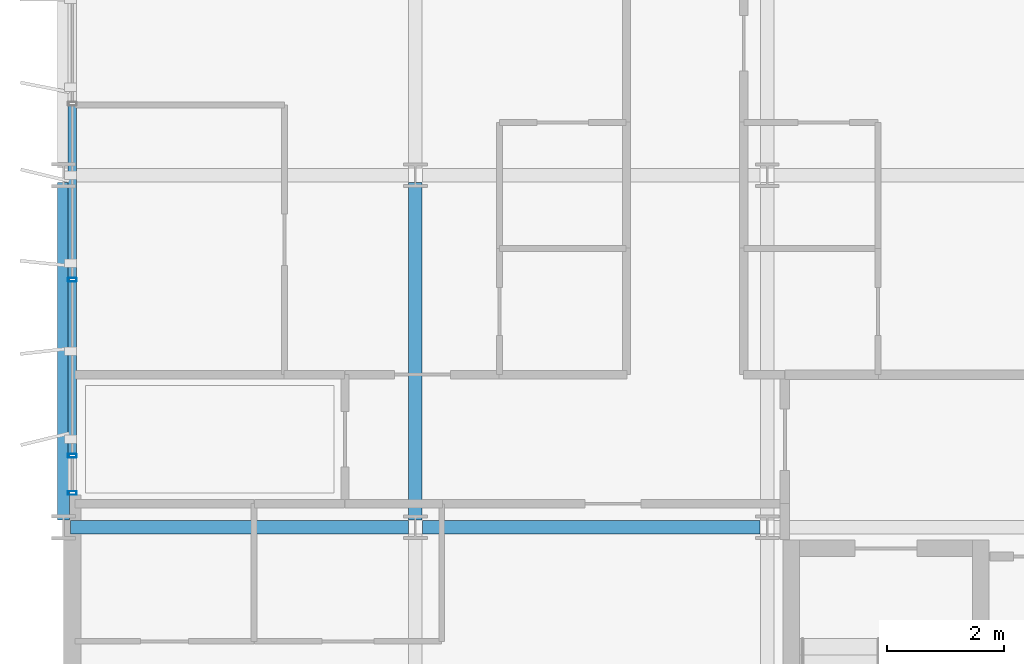
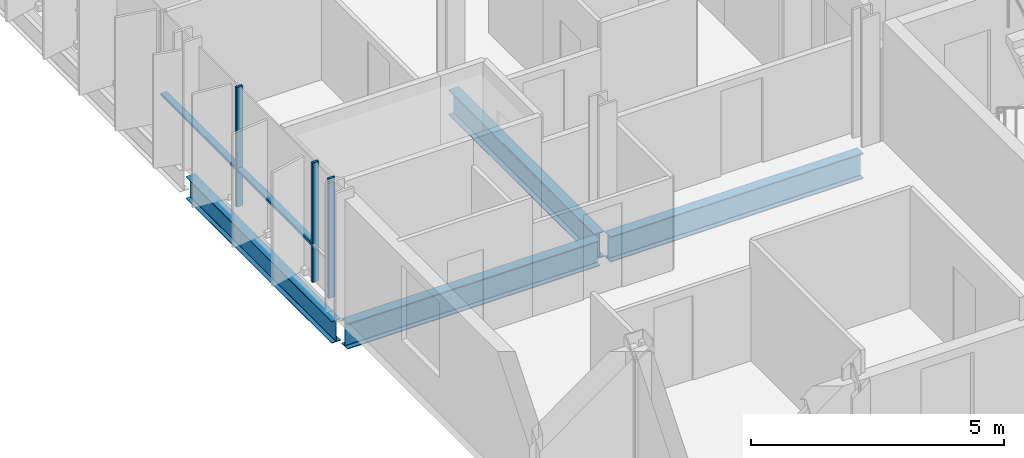
# One storey, part 2 of 39: 5 members, 4 beams, 1 element without a shape of its own.
"""IFC4 building model written with IfcOpenShell, lengths in metres."""

from ifc_helpers import new_model, si_unit, direction, frame, origin, origin_2d, place, context, subcontext, project, spatial, hollow_rectangle, i_section, extrude, material, layer, layer_set, material_profile, profile_set, type_object, element, aggregate, save


model = new_model("IFC4")

# Units and contexts
model_context = context("Model", 3, precision=1e-05, world=origin(), true_north=direction((0.0, 1.0)))
body_context = subcontext(model_context, "Body", "Model", "MODEL_VIEW")
ifc_project = project(units=[si_unit("LENGTHUNIT", "METRE"), si_unit("AREAUNIT", "SQUARE_METRE"), si_unit("VOLUMEUNIT", "CUBIC_METRE"), si_unit("PLANEANGLEUNIT", "RADIAN"), si_unit("MASSUNIT", "GRAM", prefix="KILO")], contexts=[model_context])

# Site, building, storey
site_placement = place(None, origin())
site = spatial("IfcSite", under=ifc_project, at=site_placement, CompositionType="ELEMENT")
building_placement = place(site_placement, origin())
building = spatial("IfcBuilding", under=site, at=building_placement, Name="Brevholm Reach", CompositionType="ELEMENT")
storey_placement = place(building_placement, frame((0.0, 0.0, 109.699951171875)))
storey = spatial("IfcBuildingStorey", under=building, at=storey_placement, Name="L32", CompositionType="ELEMENT", Elevation=109.699951171875)

# Beams
ifc_material_1 = material(Name="Structural Steel S355J2", Category="steel")
ifc_material_profile_1 = material_profile(ifc_material_1, i_section(OverallWidth=0.209228515625, OverallDepth=0.533203125, WebThickness=0.010009765625, FlangeThickness=0.015625, FilletRadius=0.0126953125, at=origin_2d()), Name="UKB 533x210x92")
ifc_profile_set_1 = profile_set([ifc_material_profile_1], Name="Structural Steel S355J2")
beam_type_1 = type_object("IfcBeamType", Name="BM-SP533", PredefinedType="SPANDREL", material=ifc_profile_set_1)
beam_placement = place(storey_placement, frame((0.0, 10.1201171875, -0.486572265625), z_axis=(0.0, 1.0, 0.0), x_axis=(-1.0, 0.0, 0.0)))
element("IfcBeam", 1, at=beam_placement, inside=storey, type_object=beam_type_1, Name="L32 SP-02 Framing Beam", PredefinedType="SPANDREL", context=body_context, shape_type="SweptSolid", body=[
    extrude(i_section(OverallWidth=0.209228515625, OverallDepth=0.533203125, WebThickness=0.010009765625, FlangeThickness=0.015625, FilletRadius=0.0126953125, at=origin_2d()), origin(), (0.0, 0.0, 1.0), 5.759765625),
])
ifc_material_2 = material(Name="Structural Steel S355J2", Category="steel")
ifc_material_profile_2 = material_profile(ifc_material_2, i_section(OverallWidth=0.22900390625, OverallDepth=0.6123046875, WebThickness=0.011962890625, FlangeThickness=0.01953125, FilletRadius=0.0126953125, at=origin_2d()), Name="UKB 610x229x125")
ifc_profile_set_2 = profile_set([ifc_material_profile_2], Name="Structural Steel S355J2")
beam_type_2 = type_object("IfcBeamType", Name="BM-SP610", PredefinedType="SPANDREL", material=ifc_profile_set_2)
for number, where, z_axis, x_axis, name in (
    (2, (0.1201171875, 10.0, -0.526123046875), (1.0, 0.0, 0.0), (0.0, 1.0, 0.0), "L32 SP-01 Framing Beam"),
    (3, (6.1201171875, 10.0, -0.526123046875), (1.0, 0.0, 0.0), (0.0, 1.0, 0.0), "L32 SP-01 Framing Beam"),
    (4, (6.0, 10.1201171875, -0.526123046875), (0.0, 1.0, 0.0), (-1.0, 0.0, 0.0), "L32 SP-01 Framing Beam"),
):
    element("IfcBeam", number, at=place(storey_placement, frame(where, z_axis=z_axis, x_axis=x_axis)), inside=storey, type_object=beam_type_2, Name=name, PredefinedType="SPANDREL", context=body_context, shape_type="SweptSolid", body=[
        extrude(i_section(OverallWidth=0.22900390625, OverallDepth=0.6123046875, WebThickness=0.011962890625, FlangeThickness=0.01953125, FilletRadius=0.0126953125, at=origin_2d()), origin(), (0.0, 0.0, 1.0), 5.759765625),
    ])

# Curtain wall, members
ifc_material_3 = material(Name="Dark Anodised Aluminium 6063-T6 and Solar-Control Glass", Category="aluminium")
ifc_layer = layer(ifc_material_3, 0.14990234375)
ifc_layer_set = layer_set([ifc_layer], Name="Dark Anodised Aluminium 6063-T6 and Solar-Control Glass")
curtain_wall_type = type_object("IfcCurtainWallType", Name="CW-01", PredefinedType="NOTDEFINED", material=ifc_layer_set)
curtain_wall_placement = place(storey_placement, origin())
curtain_wall = element("IfcCurtainWall", 5, at=curtain_wall_placement, inside=storey, type_object=curtain_wall_type, Name="L32 Curtain Wall CW-01", PredefinedType="NOTDEFINED")
ifc_material_4 = material(Name="Dark Anodised Aluminium 6063-T6", Category="aluminium")
ifc_material_profile_3 = material_profile(ifc_material_4, hollow_rectangle(XDim=0.06494140625, YDim=0.14990234375, WallThickness=0.0048828125, InnerFilletRadius=0.0048828125, OuterFilletRadius=0.010009765625, at=origin_2d()), Name="RHS 150x65x5")
ifc_profile_set_3 = profile_set([ifc_material_profile_3], Name="Dark Anodised Aluminium 6063-T6")
member_type_1 = type_object("IfcMemberType", Name="CWM-150", PredefinedType="MULLION", material=ifc_profile_set_3)
member_1_placement = place(storey_placement, frame((0.14990234375, 14.219970703125, 0.0), z_axis=(0.0, 0.0, 1.0), x_axis=(0.0, -1.0, 0.0)))
member_1 = element("IfcMember", 6, at=member_1_placement, type_object=member_type_1, Name="CM-150 Mullion 4", PredefinedType="MULLION", context=body_context, shape_type="SweptSolid", body=[
    extrude(hollow_rectangle(XDim=0.06494140625, YDim=0.14990234375, WallThickness=0.0048828125, InnerFilletRadius=0.0048828125, OuterFilletRadius=0.010009765625, at=origin_2d()), origin(), (0.0, 0.0, 1.0), 2.880126953125),
])
member_2_placement = place(storey_placement, frame((0.14990234375, 11.219970703125, 0.0), z_axis=(0.0, 0.0, 1.0), x_axis=(0.0, -1.0, 0.0)))
member_2 = element("IfcMember", 7, at=member_2_placement, type_object=member_type_1, Name="CM-150 Mullion 5", PredefinedType="MULLION", context=body_context, shape_type="SweptSolid", body=[
    extrude(hollow_rectangle(XDim=0.06494140625, YDim=0.14990234375, WallThickness=0.0048828125, InnerFilletRadius=0.0048828125, OuterFilletRadius=0.010009765625, at=origin_2d()), origin(), (0.0, 0.0, 1.0), 2.880126953125),
])
member_3_placement = place(storey_placement, frame((0.14990234375, 10.58251953125, 0.0), z_axis=(0.0, 0.0, 1.0), x_axis=(0.0, -1.0, 0.0)))
member_3 = element("IfcMember", 8, at=member_3_placement, type_object=member_type_1, Name="CM-150 Mullion 6", PredefinedType="MULLION", context=body_context, shape_type="SweptSolid", body=[
    extrude(hollow_rectangle(XDim=0.06494140625, YDim=0.14990234375, WallThickness=0.0048828125, InnerFilletRadius=0.0048828125, OuterFilletRadius=0.010009765625, at=origin_2d()), origin(), (0.0, 0.0, 1.0), 2.880126953125),
])
ifc_material_5 = material(Name="Dark Anodised Aluminium 6063-T6", Category="aluminium")
ifc_material_profile_4 = material_profile(ifc_material_5, hollow_rectangle(XDim=0.06494140625, YDim=0.14990234375, WallThickness=0.0048828125, InnerFilletRadius=0.0048828125, OuterFilletRadius=0.010009765625, at=origin_2d()), Name="RHS 150x65x5")
ifc_profile_set_4 = profile_set([ifc_material_profile_4], Name="Dark Anodised Aluminium 6063-T6")
member_type_2 = type_object("IfcMemberType", Name="CWT-150", PredefinedType="NOTDEFINED", material=ifc_profile_set_4)
member_4_placement = place(storey_placement, frame((0.14990234375, 17.1875, 0.900146484375), z_axis=(0.0, -1.0, 0.0), x_axis=(0.0, 0.0, 1.0)))
member_4 = element("IfcMember", 9, at=member_4_placement, type_object=member_type_2, Name="CT-150 Transom 3.1", ObjectType="TRANSOM", PredefinedType="USERDEFINED", context=body_context, shape_type="SweptSolid", body=[
    extrude(hollow_rectangle(XDim=0.06494140625, YDim=0.14990234375, WallThickness=0.0048828125, InnerFilletRadius=0.0048828125, OuterFilletRadius=0.010009765625, at=origin_2d()), origin(), (0.0, 0.0, 1.0), 2.93505859375),
])
member_5_placement = place(storey_placement, frame((0.14990234375, 14.1875, 0.900146484375), z_axis=(0.0, -1.0, 0.0), x_axis=(0.0, 0.0, 1.0)))
member_5 = element("IfcMember", 10, at=member_5_placement, type_object=member_type_2, Name="CT-150 Transom 4.1", ObjectType="TRANSOM", PredefinedType="USERDEFINED", context=body_context, shape_type="SweptSolid", body=[
    extrude(hollow_rectangle(XDim=0.06494140625, YDim=0.14990234375, WallThickness=0.0048828125, InnerFilletRadius=0.0048828125, OuterFilletRadius=0.010009765625, at=origin_2d()), origin(), (0.0, 0.0, 1.0), 2.93505859375),
])
aggregate(curtain_wall, [member_1, member_2, member_3, member_4, member_5])

save(model, "model.ifc")
